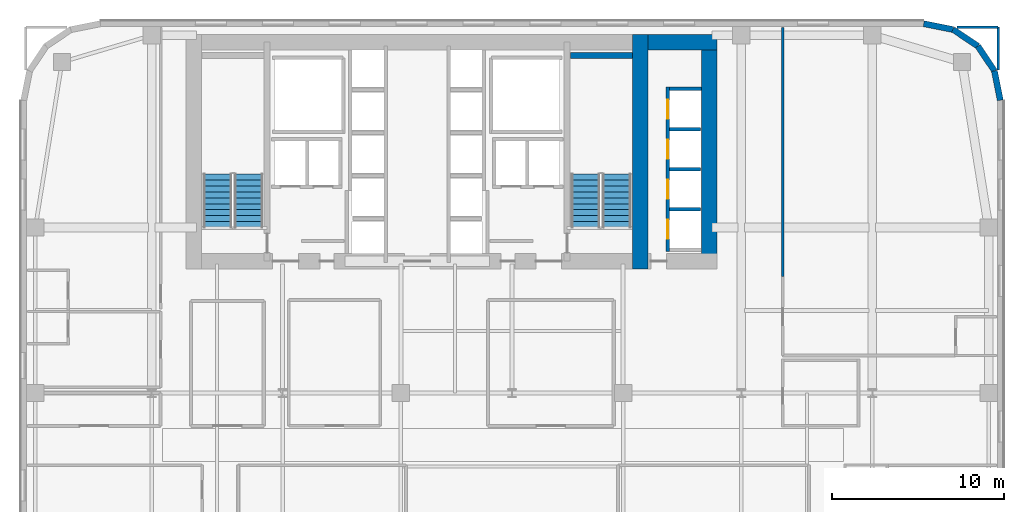
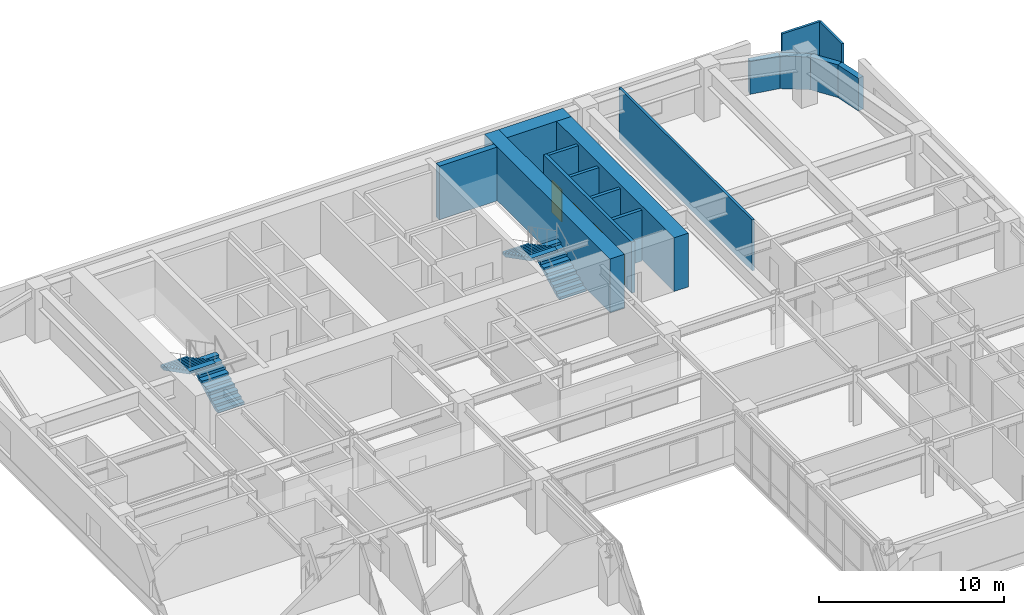
# One storey, part 19 of 25: 16 walls, 4 doors, 4 stair flights, 4 openings, 2 elements without a shape of their own.
"""IFC4 building model written with IfcOpenShell, lengths in metres."""

from ifc_helpers import new_model, si_unit, direction, frame, frame_2d, origin, place, context, subcontext, project, spatial, polyline, rectangle, outline, extrude, source, transform, mapped, material, layer, layer_set, type_object, type_shapes, element, fill, aggregate, save


model = new_model("IFC4")

# Units and contexts
model_context = context("Model", 3, precision=1e-05, world=origin(), true_north=direction((0.0, 1.0)))
body_context = subcontext(model_context, "Body", "Model", "MODEL_VIEW")
ifc_project = project(units=[si_unit("LENGTHUNIT", "METRE"), si_unit("AREAUNIT", "SQUARE_METRE"), si_unit("VOLUMEUNIT", "CUBIC_METRE"), si_unit("PLANEANGLEUNIT", "RADIAN"), si_unit("MASSUNIT", "GRAM", prefix="KILO")], contexts=[model_context])

# Site, building, storey
site_placement = place(None, origin())
site = spatial("IfcSite", under=ifc_project, at=site_placement, CompositionType="ELEMENT")
building_placement = place(site_placement, origin())
building = spatial("IfcBuilding", under=site, at=building_placement, Name="Tolvann Quenvar Hotel", CompositionType="ELEMENT")
storey_placement = place(building_placement, frame((0.0, 0.0, 60.39990234375)))
storey = spatial("IfcBuildingStorey", under=building, at=storey_placement, Name="L14", CompositionType="ELEMENT", Elevation=60.39990234375)

# Walls
ifc_material_1 = material(Name="Concrete S80 (80 MPa)", Category="concrete")
ifc_layer_1 = layer(ifc_material_1, 0.89990234375)
ifc_layer_set_1 = layer_set([ifc_layer_1], Name="Concrete S80 (80 MPa)")
wall_type_1 = type_object("IfcWallType", Name="WALL_CORE_900", PredefinedType="SHEAR", material=ifc_layer_set_1)
wall_1_placement = place(storey_placement, frame((35.949951171875, 31.60009765625, 0.0), z_axis=(0.0, 0.0, 1.0), x_axis=(0.0, 1.0, 0.0)))
element("IfcWall", 1, at=wall_1_placement, inside=storey, type_object=wall_type_1, Name="Rear Core E Shear Wall (L14)", PredefinedType="SHEAR", context=body_context, shape_type="SweptSolid", body=[
    extrude(rectangle(XDim=13.599853515625, YDim=0.89990234375, at=frame_2d((6.7998046875, 0.0))), origin(), (0.0, 0.0, 1.0), 3.550048828125),
])
wall_2_placement = place(storey_placement, frame((36.39990234375, 44.75, 0.0), z_axis=(0.0, 0.0, 1.0), x_axis=(1.0, 0.0, 0.0)))
element("IfcWall", 2, at=wall_2_placement, inside=storey, type_object=wall_type_1, Name="Core East Annex Shear Wall ANN-N (L14)", PredefinedType="SHEAR", context=body_context, shape_type="SweptSolid", body=[
    extrude(rectangle(XDim=4.0, YDim=0.89990234375, at=frame_2d((2.0, 0.0))), origin(), (0.0, 0.0, 1.0), 3.550048828125),
])
wall_3_placement = place(storey_placement, frame((39.949951171875, 31.60009765625, 0.0), z_axis=(0.0, 0.0, 1.0), x_axis=(0.0, 1.0, 0.0)))
element("IfcWall", 3, at=wall_3_placement, inside=storey, type_object=wall_type_1, Name="Core East Annex Shear Wall ANN-E (L14)", PredefinedType="SHEAR", context=body_context, shape_type="SweptSolid", body=[
    extrude(rectangle(XDim=13.599853515625, YDim=0.89990234375, at=frame_2d((6.7998046875, 0.0))), origin(), (0.0, 0.0, 1.0), 3.550048828125),
])
ifc_material_2 = material(Name="Concrete S65 (65 MPa)", Category="concrete")
ifc_layer_2 = layer(ifc_material_2, 0.35009765625)
ifc_layer_set_2 = layer_set([ifc_layer_2], Name="Concrete S65 (65 MPa)")
wall_type_2 = type_object("IfcWallType", Name="WALL_CORE_INT_350", PredefinedType="SHEAR", material=ifc_layer_set_2)
wall_4_placement = place(storey_placement, frame((31.8798828125, 43.97509765625, 0.0), z_axis=(0.0, 0.0, 1.0), x_axis=(1.0, 0.0, 0.0)))
element("IfcWall", 4, at=wall_4_placement, inside=storey, type_object=wall_type_2, Name="Core Stair North Closing Shear Wall STC2-N (L14)", PredefinedType="SHEAR", context=body_context, shape_type="SweptSolid", body=[
    extrude(rectangle(XDim=3.60009765625, YDim=0.35009765625, at=frame_2d((1.800048828125, 0.0))), origin(), (0.0, 0.0, 1.0), 3.550048828125),
])
ifc_material_3 = material(Name="Kiln-fired red and buff architectural clay brickwork and terracotta masonry", Category="masonry")
ifc_layer_3 = layer(ifc_material_3, 0.35009765625)
ifc_layer_set_3 = layer_set([ifc_layer_3], Name="Kiln-fired red and buff architectural clay brickwork and terracotta masonry")
wall_type_3 = type_object("IfcWallType", Name="WALL_EXT_BRICK_350", PredefinedType="SOLIDWALL", material=ifc_layer_set_3)
wall_5_placement = place(storey_placement, frame((56.824951171875, 41.3828125, 0.0), z_axis=(0.0, 0.0, 1.0), x_axis=(-0.195011420161, 0.980800971659, 0.0)))
element("IfcWall", 5, at=wall_5_placement, inside=storey, type_object=wall_type_3, Name="Exterior Chicago Brick Wall L14-E14", PredefinedType="SOLIDWALL", context=body_context, shape_type="SweptSolid", body=[
    extrude(rectangle(XDim=1.74267578125, YDim=0.35009765625, at=frame_2d((0.871337890625, 0.0))), origin(), (0.0, 0.0, 1.0), 2.16015625),
])
for number, where, z_axis, x_axis, name in (
    (6, (56.485107421875, 43.092041015625, 0.0), (0.0, 0.0, 1.0), (-0.55554893791, 0.831483840845, 0.0), "Exterior Chicago Brick Wall L14-E15"),
    (7, (55.526611328125, 44.526611328125, 0.0), (0.0, 0.0, 1.0), (-0.831483840845, 0.55554893791, 0.0), "Exterior Chicago Brick Wall L14-E16"),
):
    element("IfcWall", number, at=place(storey_placement, frame(where, z_axis=z_axis, x_axis=x_axis)), inside=storey, type_object=wall_type_3, Name=name, PredefinedType="SOLIDWALL", context=body_context, shape_type="SweptSolid", body=[
        extrude(rectangle(XDim=1.725341796875, YDim=0.35009765625, at=frame_2d((0.86279296875, 0.0))), origin(), (0.0, 0.0, 1.0), 2.16015625),
    ])
wall_6_placement = place(storey_placement, frame((54.092041015625, 45.485107421875, 0.0), z_axis=(0.0, 0.0, 1.0), x_axis=(-0.980800971659, 0.195011420161, 0.0)))
element("IfcWall", 8, at=wall_6_placement, inside=storey, type_object=wall_type_3, Name="Exterior Chicago Brick Wall L14-E17", PredefinedType="SOLIDWALL", context=body_context, shape_type="SweptSolid", body=[
    extrude(rectangle(XDim=1.74267578125, YDim=0.35009765625, at=frame_2d((0.871337890625, 0.0))), origin(), (0.0, 0.0, 1.0), 2.16015625),
])
ifc_material_4 = material(Name="Acoustic twin-stud fire-rated gypsum plasterboard partition")
ifc_layer_4 = layer(ifc_material_4, 0.14990234375)
ifc_layer_set_4 = layer_set([ifc_layer_4], Name="Acoustic twin-stud fire-rated gypsum plasterboard partition")
wall_type_4 = type_object("IfcWallType", Name="WALL_PART_SUITE_150", PredefinedType="PARTITIONING", material=ifc_layer_set_4)
wall_7_placement = place(storey_placement, frame((56.699951171875, 43.135009765625, 0.0), z_axis=(0.0, 0.0, 1.0), x_axis=(0.0, 1.0, 0.0)))
element("IfcWall", 9, at=wall_7_placement, inside=storey, type_object=wall_type_4, Name="Interior Partition PT-SPC-L14-RM-NE01-E4", PredefinedType="PARTITIONING", context=body_context, shape_type="SweptSolid", body=[
    extrude(rectangle(XDim=2.485107421875, YDim=0.14990234375, at=frame_2d((1.24267578125, 0.0))), origin(), (0.0, 0.0, 1.0), 3.3701171875),
])
wall_8_placement = place(storey_placement, frame((54.303955078125, 45.6201171875, 0.0), z_axis=(0.0, 0.0, 1.0), x_axis=(1.0, 0.0, 0.0)))
element("IfcWall", 10, at=wall_8_placement, inside=storey, type_object=wall_type_4, Name="Interior Partition PT-SPC-L14-RM-NE01-E5", PredefinedType="PARTITIONING", context=body_context, shape_type="SweptSolid", body=[
    extrude(rectangle(XDim=2.39599609375, YDim=0.14990234375, at=frame_2d((1.197998046875, 0.0))), origin(), (0.0, 0.0, 1.0), 3.3701171875),
])
wall_9_placement = place(storey_placement, frame((44.199951171875, 31.169921875, 0.0), z_axis=(0.0, 0.0, 1.0), x_axis=(0.0, 1.0, 0.0)))
element("IfcWall", 11, at=wall_9_placement, inside=storey, type_object=wall_type_4, Name="Interior Partition PT-SPC-L14-RM-NE01-E6", PredefinedType="PARTITIONING", context=body_context, shape_type="SweptSolid", body=[
    extrude(rectangle(XDim=14.425048828125, YDim=0.14990234375, at=frame_2d((7.21240234375, 0.0))), origin(), (0.0, 0.0, 1.0), 3.3701171875),
])

# Wall, openings, doors
ifc_material_5 = material(Name="Concrete N40 (40 MPa)", Category="concrete")
ifc_layer_5 = layer(ifc_material_5, 0.199951171875)
ifc_layer_set_5 = layer_set([ifc_layer_5], Name="Concrete N40 (40 MPa)")
wall_type_5 = type_object("IfcWallType", Name="WALL_SHAFT_200", PredefinedType="SOLIDWALL", material=ifc_layer_set_5)
wall_10_placement = place(storey_placement, frame((37.530029296875, 32.610107421875, 0.0), z_axis=(0.0, 0.0, 1.0), x_axis=(0.0, 1.0, 0.0)))
wall_10 = element("IfcWall", 12, at=wall_10_placement, inside=storey, type_object=wall_type_5, Name="Lift Bank W37.6C1 Hoistway Front Wall (L14)", PredefinedType="SOLIDWALL", context=body_context, shape_type="SweptSolid", body=[
    extrude(rectangle(XDim=9.539794921875, YDim=0.199951171875, at=frame_2d((4.77001953125, 0.0))), origin(), (0.0, 0.0, 1.0), 3.3701171875),
])
opening_1_placement = place(wall_10_placement, frame((0.739990234375, 0.0, 0.0)))
opening_1 = element("IfcOpeningElement", 13, at=opening_1_placement, cuts=wall_10, Name="Opening LD-01", PredefinedType="OPENING", context=body_context, shape_type="SweptSolid", body=[
    extrude(rectangle(XDim=1.10009765625, YDim=2.1201171875, at=frame_2d((0.550048828125, 1.06005859375))), frame((0.0, 0.10986328125, 0.0), z_axis=(0.0, -1.0, 0.0), x_axis=(1.0, 0.0, 0.0)), (0.0, 0.0, 1.0), 0.219970703125),
])
opening_2_placement = place(wall_10_placement, frame((3.06005859375, 0.0, 0.0)))
opening_2 = element("IfcOpeningElement", 14, at=opening_2_placement, cuts=wall_10, Name="Opening LD-01", PredefinedType="OPENING", context=body_context, shape_type="SweptSolid", body=[
    extrude(rectangle(XDim=1.10009765625, YDim=2.1201171875, at=frame_2d((0.550048828125, 1.06005859375))), frame((0.0, 0.10986328125, 0.0), z_axis=(0.0, -1.0, 0.0), x_axis=(1.0, 0.0, 0.0)), (0.0, 0.0, 1.0), 0.219970703125),
])
opening_3_placement = place(wall_10_placement, frame((5.3798828125, 0.0, 0.0)))
opening_3 = element("IfcOpeningElement", 15, at=opening_3_placement, cuts=wall_10, Name="Opening LD-01", PredefinedType="OPENING", context=body_context, shape_type="SweptSolid", body=[
    extrude(rectangle(XDim=1.10009765625, YDim=2.1201171875, at=frame_2d((0.550048828125, 1.06005859375))), frame((0.0, 0.10986328125, 0.0), z_axis=(0.0, -1.0, 0.0), x_axis=(1.0, 0.0, 0.0)), (0.0, 0.0, 1.0), 0.219970703125),
])
opening_4_placement = place(wall_10_placement, frame((7.699951171875, 0.0, 0.0)))
opening_4 = element("IfcOpeningElement", 16, at=opening_4_placement, cuts=wall_10, Name="Opening LD-01", PredefinedType="OPENING", context=body_context, shape_type="SweptSolid", body=[
    extrude(rectangle(XDim=1.10009765625, YDim=2.1201171875, at=frame_2d((0.550048828125, 1.06005859375))), frame((0.0, 0.10986328125, 0.0), z_axis=(0.0, -1.0, 0.0), x_axis=(1.0, 0.0, 0.0)), (0.0, 0.0, 1.0), 0.219970703125),
])
ifc_material_6 = material(Name="Brushed 316 stainless steel automatic sliding lift landing door", Category="steel")
door_type = type_object("IfcDoorType", Name="DOOR_LIFT_SLIDE_1100", OperationType="NOTDEFINED", PredefinedType="DOOR", material=ifc_material_6)
shared_shape = source(origin(), body_context, "Body", "SweptSolid", [
    extrude(rectangle(XDim=1.10009765625, YDim=2.1201171875, at=frame_2d((0.550048828125, 1.06005859375))), frame((0.0, 0.02490234375, 0.0), z_axis=(0.0, -1.0, 0.0), x_axis=(1.0, 0.0, 0.0)), (0.0, 0.0, 1.0), 0.050048828125),
])
type_shapes(door_type, [shared_shape])
door_1_placement = place(opening_1_placement, origin())
door_1 = element("IfcDoor", 17, at=door_1_placement, inside=storey, type_object=door_type, Name="Lift PL-1 Sliding Landing Door (L14)", OperationType="SLIDING_TO_LEFT", OverallHeight=2.1201171875, OverallWidth=1.10009765625, PredefinedType="DOOR", context=body_context, shape_type="MappedRepresentation", body=[
    mapped(shared_shape, transform((0.0, 0.0, 0.0), x_axis=(1.0, 0.0, 0.0), y_axis=(0.0, 1.0, 0.0), z_axis=(0.0, 0.0, 1.0), scale=1.0)),
])
fill(opening_1, door_1)
door_2_placement = place(opening_2_placement, origin())
door_2 = element("IfcDoor", 18, at=door_2_placement, inside=storey, type_object=door_type, Name="Lift PL-2 Sliding Landing Door (L14)", OperationType="SLIDING_TO_RIGHT", OverallHeight=2.1201171875, OverallWidth=1.10009765625, PredefinedType="DOOR", context=body_context, shape_type="MappedRepresentation", body=[
    mapped(shared_shape, transform((0.0, 0.0, 0.0), x_axis=(1.0, 0.0, 0.0), y_axis=(0.0, 1.0, 0.0), z_axis=(0.0, 0.0, 1.0), scale=1.0)),
])
fill(opening_2, door_2)
door_3_placement = place(opening_3_placement, origin())
door_3 = element("IfcDoor", 19, at=door_3_placement, inside=storey, type_object=door_type, Name="Lift PL-3 Sliding Landing Door (L14)", OperationType="SLIDING_TO_LEFT", OverallHeight=2.1201171875, OverallWidth=1.10009765625, PredefinedType="DOOR", context=body_context, shape_type="MappedRepresentation", body=[
    mapped(shared_shape, transform((0.0, 0.0, 0.0), x_axis=(1.0, 0.0, 0.0), y_axis=(0.0, 1.0, 0.0), z_axis=(0.0, 0.0, 1.0), scale=1.0)),
])
fill(opening_3, door_3)
door_4_placement = place(opening_4_placement, origin())
door_4 = element("IfcDoor", 20, at=door_4_placement, inside=storey, type_object=door_type, Name="Lift PL-4 Sliding Landing Door (L14)", OperationType="SLIDING_TO_RIGHT", OverallHeight=2.1201171875, OverallWidth=1.10009765625, PredefinedType="DOOR", context=body_context, shape_type="MappedRepresentation", body=[
    mapped(shared_shape, transform((0.0, 0.0, 0.0), x_axis=(1.0, 0.0, 0.0), y_axis=(0.0, 1.0, 0.0), z_axis=(0.0, 0.0, 1.0), scale=1.0)),
])
fill(opening_4, door_4)

# Walls
wall_11_placement = place(storey_placement, frame((37.6298828125, 42.050048828125, 0.0), z_axis=(0.0, 0.0, 1.0), x_axis=(1.0, 0.0, 0.0)))
element("IfcWall", 21, at=wall_11_placement, inside=storey, type_object=wall_type_5, Name="Lift Bank W37.6C1 Hoistway Cheek Wall 2 (L14)", PredefinedType="SOLIDWALL", context=body_context, shape_type="SweptSolid", body=[
    extrude(rectangle(XDim=1.8701171875, YDim=0.199951171875, at=frame_2d((0.93505859375, 0.0))), origin(), (0.0, 0.0, 1.0), 3.3701171875),
])
for number, where, z_axis, x_axis, name in (
    (22, (37.6298828125, 35.06005859375, 0.0), (0.0, 0.0, 1.0), (1.0, 0.0, 0.0), "Lift Bank W37.6C1 Divider Wall 1 (L14)"),
    (23, (37.6298828125, 37.3798828125, 0.0), (0.0, 0.0, 1.0), (1.0, 0.0, 0.0), "Lift Bank W37.6C1 Divider Wall 2 (L14)"),
    (24, (37.6298828125, 39.699951171875, 0.0), (0.0, 0.0, 1.0), (1.0, 0.0, 0.0), "Lift Bank W37.6C1 Divider Wall 3 (L14)"),
):
    element("IfcWall", number, at=place(storey_placement, frame(where, z_axis=z_axis, x_axis=x_axis)), inside=storey, type_object=wall_type_5, Name=name, PredefinedType="SOLIDWALL", context=body_context, shape_type="SweptSolid", body=[
        extrude(rectangle(XDim=1.800048828125, YDim=0.199951171875, at=frame_2d((0.89990234375, 0.0))), origin(), (0.0, 0.0, 1.0), 3.3701171875),
    ])

# Stair, stair flights
stair_type = type_object("IfcStairType", Name="STAIR", PredefinedType="HALF_TURN_STAIR", material=ifc_material_5)
stair_1_placement = place(storey_placement, origin())
stair_1 = element("IfcStair", 25, at=stair_1_placement, inside=storey, type_object=stair_type, Name="L14 ST-C1", PredefinedType="HALF_TURN_STAIR")
stair_flight_type = type_object("IfcStairFlightType", Name="STAIR_FLIGHT", PredefinedType="STRAIGHT", material=ifc_material_5)
stair_flight_1_placement = place(storey_placement, frame((13.22509765625, 34.0, 0.0), z_axis=(0.0, 0.0, 1.0), x_axis=(0.0, 1.0, 0.0)))
stair_flight_1 = element("IfcStairFlight", 26, at=stair_flight_1_placement, type_object=stair_flight_type, Name="ST-C1 flight 1", NumberOfRisers=10, NumberOfTreads=9, PredefinedType="STRAIGHT", RiserHeight=0.1775, TreadLength=0.345, context=body_context, shape_type="SweptSolid", body=[
    extrude(outline(polyline([(0.0, 0.0), (0.0, 0.177490234375), (0.344970703125, 0.177490234375), (0.344970703125, 0.35498046875), (0.68994140625, 0.35498046875), (0.68994140625, 0.532470703125), (1.034912109375, 0.532470703125), (1.034912109375, 0.7099609375), (1.3798828125, 0.7099609375), (1.3798828125, 0.887451171875), (1.72509765625, 0.887451171875), (1.72509765625, 1.06494140625), (2.070068359375, 1.06494140625), (2.070068359375, 1.242431640625), (2.4150390625, 1.242431640625), (2.4150390625, 1.419921875), (2.760009765625, 1.419921875), (2.760009765625, 1.597412109375), (3.10498046875, 1.597412109375), (3.10498046875, 1.77490234375), (3.10498046875, 1.428955078125), (0.32763671875, 0.0), (0.0, 0.0)])), frame((0.0, 0.824951171875, 0.0), z_axis=(0.0, -1.0, 0.0), x_axis=(1.0, 0.0, 0.0)), (0.0, 0.0, 1.0), 1.64990234375),
])
stair_flight_2_placement = place(storey_placement, frame((11.425048828125, 37.10498046875, 1.775146484375), z_axis=(0.0, 0.0, 1.0), x_axis=(0.0, -1.0, 0.0)))
stair_flight_2 = element("IfcStairFlight", 27, at=stair_flight_2_placement, type_object=stair_flight_type, Name="ST-C1 flight 2", NumberOfRisers=10, NumberOfTreads=9, PredefinedType="STRAIGHT", RiserHeight=0.1775, TreadLength=0.345, context=body_context, shape_type="SweptSolid", body=[
    extrude(outline(polyline([(0.0, 0.0), (0.0, 0.177490234375), (0.344970703125, 0.177490234375), (0.344970703125, 0.35498046875), (0.68994140625, 0.35498046875), (0.68994140625, 0.532470703125), (1.034912109375, 0.532470703125), (1.034912109375, 0.7099609375), (1.3798828125, 0.7099609375), (1.3798828125, 0.887451171875), (1.72509765625, 0.887451171875), (1.72509765625, 1.06494140625), (2.070068359375, 1.06494140625), (2.070068359375, 1.242431640625), (2.4150390625, 1.242431640625), (2.4150390625, 1.419921875), (2.760009765625, 1.419921875), (2.760009765625, 1.597412109375), (3.10498046875, 1.597412109375), (3.10498046875, 1.77490234375), (3.10498046875, 1.428955078125), (0.32763671875, 0.0), (0.0, 0.0)])), frame((0.0, 0.824951171875, 0.0), z_axis=(0.0, -1.0, 0.0), x_axis=(1.0, 0.0, 0.0)), (0.0, 0.0, 1.0), 1.64990234375),
])
aggregate(stair_1, [stair_flight_1, stair_flight_2])

stair_2_placement = place(storey_placement, origin())
stair_2 = element("IfcStair", 28, at=stair_2_placement, inside=storey, type_object=stair_type, Name="L14 ST-C2", PredefinedType="HALF_TURN_STAIR")
stair_flight_3_placement = place(storey_placement, frame((34.574951171875, 34.0, 0.0), z_axis=(0.0, 0.0, 1.0), x_axis=(0.0, 1.0, 0.0)))
stair_flight_3 = element("IfcStairFlight", 29, at=stair_flight_3_placement, type_object=stair_flight_type, Name="ST-C2 flight 1", NumberOfRisers=10, NumberOfTreads=9, PredefinedType="STRAIGHT", RiserHeight=0.1775, TreadLength=0.345, context=body_context, shape_type="SweptSolid", body=[
    extrude(outline(polyline([(0.0, 0.0), (0.0, 0.177490234375), (0.344970703125, 0.177490234375), (0.344970703125, 0.35498046875), (0.68994140625, 0.35498046875), (0.68994140625, 0.532470703125), (1.034912109375, 0.532470703125), (1.034912109375, 0.7099609375), (1.3798828125, 0.7099609375), (1.3798828125, 0.887451171875), (1.72509765625, 0.887451171875), (1.72509765625, 1.06494140625), (2.070068359375, 1.06494140625), (2.070068359375, 1.242431640625), (2.4150390625, 1.242431640625), (2.4150390625, 1.419921875), (2.760009765625, 1.419921875), (2.760009765625, 1.597412109375), (3.10498046875, 1.597412109375), (3.10498046875, 1.77490234375), (3.10498046875, 1.428955078125), (0.32763671875, 0.0), (0.0, 0.0)])), frame((0.0, 0.824951171875, 0.0), z_axis=(0.0, -1.0, 0.0), x_axis=(1.0, 0.0, 0.0)), (0.0, 0.0, 1.0), 1.64990234375),
])
stair_flight_4_placement = place(storey_placement, frame((32.77490234375, 37.10498046875, 1.775146484375), z_axis=(0.0, 0.0, 1.0), x_axis=(0.0, -1.0, 0.0)))
stair_flight_4 = element("IfcStairFlight", 30, at=stair_flight_4_placement, type_object=stair_flight_type, Name="ST-C2 flight 2", NumberOfRisers=10, NumberOfTreads=9, PredefinedType="STRAIGHT", RiserHeight=0.1775, TreadLength=0.345, context=body_context, shape_type="SweptSolid", body=[
    extrude(outline(polyline([(0.0, 0.0), (0.0, 0.177490234375), (0.344970703125, 0.177490234375), (0.344970703125, 0.35498046875), (0.68994140625, 0.35498046875), (0.68994140625, 0.532470703125), (1.034912109375, 0.532470703125), (1.034912109375, 0.7099609375), (1.3798828125, 0.7099609375), (1.3798828125, 0.887451171875), (1.72509765625, 0.887451171875), (1.72509765625, 1.06494140625), (2.070068359375, 1.06494140625), (2.070068359375, 1.242431640625), (2.4150390625, 1.242431640625), (2.4150390625, 1.419921875), (2.760009765625, 1.419921875), (2.760009765625, 1.597412109375), (3.10498046875, 1.597412109375), (3.10498046875, 1.77490234375), (3.10498046875, 1.428955078125), (0.32763671875, 0.0), (0.0, 0.0)])), frame((0.0, 0.824951171875, 0.0), z_axis=(0.0, -1.0, 0.0), x_axis=(1.0, 0.0, 0.0)), (0.0, 0.0, 1.0), 1.64990234375),
])
aggregate(stair_2, [stair_flight_3, stair_flight_4])

save(model, "model.ifc")
